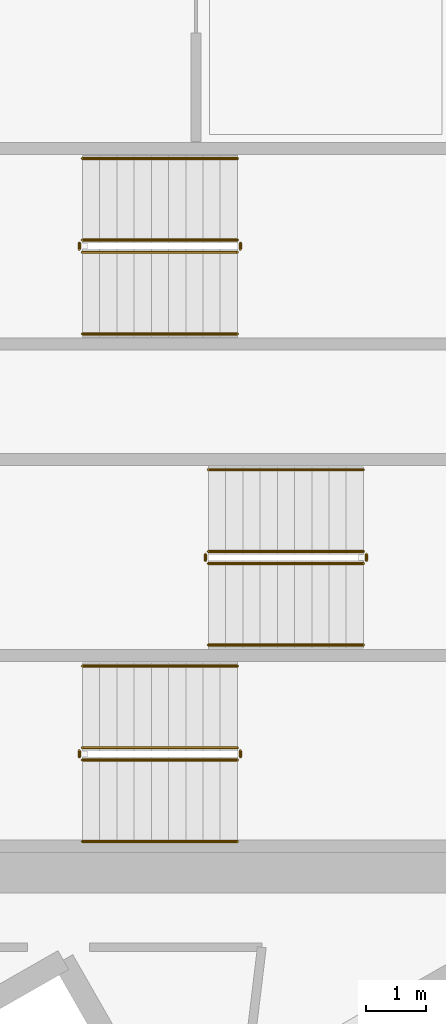
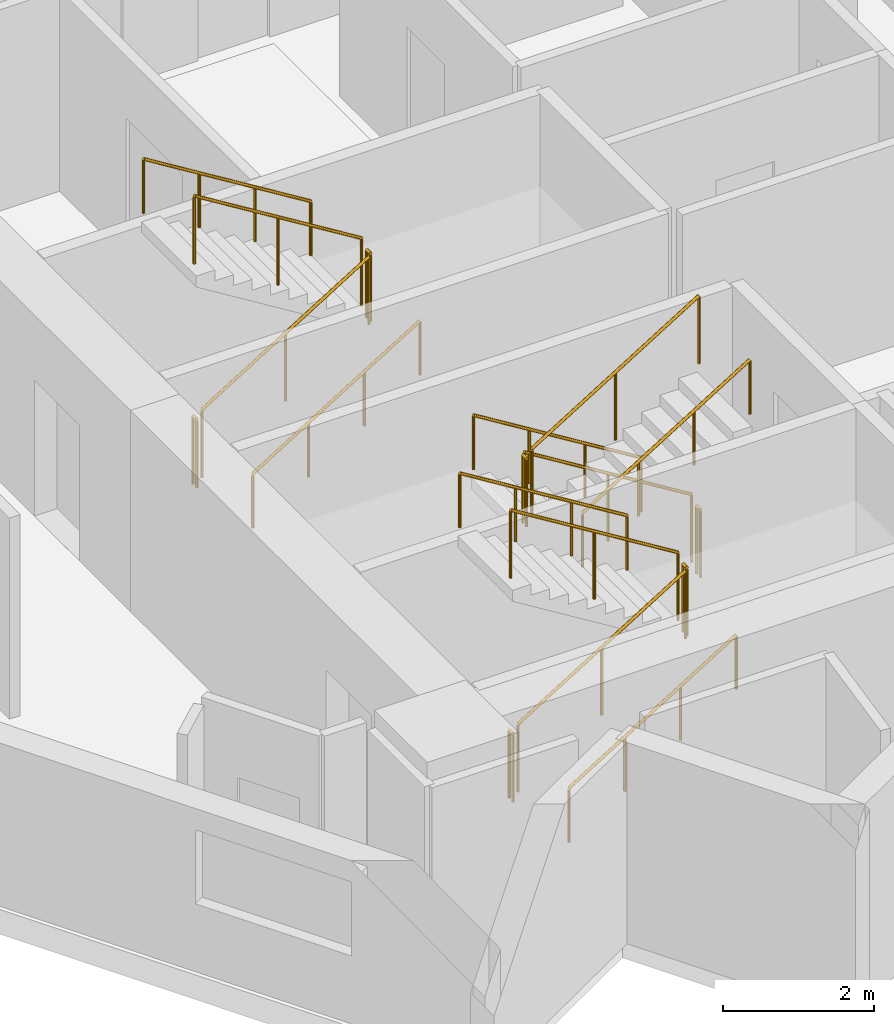
# One storey, part 12 of 13: 18 railings.
"""IFC4 building model written with IfcOpenShell, lengths in metres."""

from ifc_helpers import new_model, si_unit, direction, frame, origin, origin_2d, place, context, subcontext, project, spatial, circle, extrude, material, type_object, element, save


model = new_model("IFC4")

# Units and contexts
model_context = context("Model", 3, precision=1e-05, world=origin(), true_north=direction((0.0, 1.0)))
body_context = subcontext(model_context, "Body", "Model", "MODEL_VIEW")
ifc_project = project(units=[si_unit("LENGTHUNIT", "METRE"), si_unit("AREAUNIT", "SQUARE_METRE"), si_unit("VOLUMEUNIT", "CUBIC_METRE"), si_unit("PLANEANGLEUNIT", "RADIAN"), si_unit("MASSUNIT", "GRAM", prefix="KILO")], contexts=[model_context])

# Site, building, storey
site_placement = place(None, origin())
site = spatial("IfcSite", under=ifc_project, at=site_placement, CompositionType="ELEMENT")
building_placement = place(site_placement, origin())
building = spatial("IfcBuilding", under=site, at=building_placement, Name="Narakoshi Arena Tower", CompositionType="ELEMENT")
storey_placement = place(building_placement, frame((0.0, 0.0, 200.89990234375)))
storey = spatial("IfcBuildingStorey", under=building, at=storey_placement, Name="L54", CompositionType="ELEMENT", Elevation=200.89990234375)

# Railings
ifc_material_1 = material(Name="Clear low-iron laminated structural glass", Category="glass")
railing_type_1 = type_object("IfcRailingType", Name="RL-BAL-1100", PredefinedType="BALUSTRADE", material=ifc_material_1)
railing_1_placement = place(storey_placement, frame((74.39990234375, 36.949951171875, 0.176025390625)))
element("IfcRailing", 1, at=railing_1_placement, inside=storey, type_object=railing_type_1, Name="L54 ST1 stair guard 1", PredefinedType="BALUSTRADE", context=body_context, shape_type="SweptSolid", body=[
    extrude(circle(Radius=0.02392578125, at=origin_2d()), frame((0.0, 0.0, 1.09619140625), z_axis=(0.850856559306, 0.0, 0.525398054323), x_axis=(0.0, 1.0, 0.0)), (0.0, 0.0, 1.0), 3.014892578125),
    extrude(circle(Radius=0.02099609375, at=origin_2d()), origin(), (0.0, 0.0, 1.0), 1.072021484375),
    extrude(circle(Radius=0.02099609375, at=origin_2d()), frame((1.28271484375, 0.0, 0.7919921875)), (0.0, 0.0, 1.0), 1.072021484375),
    extrude(circle(Radius=0.02099609375, at=origin_2d()), frame((2.565185546875, 0.0, 1.583984375)), (0.0, 0.0, 1.0), 1.072021484375),
])
railing_2_placement = place(storey_placement, frame((77.014892578125, 37.0, 1.760009765625)))
element("IfcRailing", 2, at=railing_2_placement, inside=storey, type_object=railing_type_1, Name="L54 ST1 stair guard 2", PredefinedType="BALUSTRADE", context=body_context, shape_type="SweptSolid", body=[
    extrude(circle(Radius=0.02392578125, at=origin_2d()), frame((0.0, 0.0, 1.09619140625), z_axis=(0.0, 1.0, 0.0), x_axis=(-1.0, 0.0, 0.0)), (0.0, 0.0, 1.0), 0.10009765625),
    extrude(circle(Radius=0.02099609375, at=origin_2d()), origin(), (0.0, 0.0, 1.0), 1.072021484375),
    extrude(circle(Radius=0.02099609375, at=origin_2d()), frame((0.0, 0.10009765625, 0.0)), (0.0, 0.0, 1.0), 1.072021484375),
])
railing_3_placement = place(storey_placement, frame((76.965087890625, 37.14990234375, 1.93603515625)))
element("IfcRailing", 3, at=railing_3_placement, inside=storey, type_object=railing_type_1, Name="L54 ST1 stair guard 3", PredefinedType="BALUSTRADE", context=body_context, shape_type="SweptSolid", body=[
    extrude(circle(Radius=0.02392578125, at=origin_2d()), frame((0.0, 0.0, 1.09619140625), z_axis=(-0.850856559306, 0.0, 0.525398054323), x_axis=(0.0, -1.0, 0.0)), (0.0, 0.0, 1.0), 3.014892578125),
    extrude(circle(Radius=0.02099609375, at=origin_2d()), origin(), (0.0, 0.0, 1.0), 1.072021484375),
    extrude(circle(Radius=0.02099609375, at=origin_2d()), frame((-1.28271484375, 0.0, 0.7919921875)), (0.0, 0.0, 1.0), 1.072021484375),
    extrude(circle(Radius=0.02099609375, at=origin_2d()), frame((-2.565185546875, 0.0, 1.583984375)), (0.0, 0.0, 1.0), 1.072021484375),
])
railing_4_placement = place(storey_placement, frame((74.35009765625, 37.0, 0.0)))
element("IfcRailing", 4, at=railing_4_placement, inside=storey, type_object=railing_type_1, Name="L54 ST1 stair guard 4", PredefinedType="BALUSTRADE", context=body_context, shape_type="SweptSolid", body=[
    extrude(circle(Radius=0.02392578125, at=origin_2d()), frame((0.0, 0.0, 1.09619140625), z_axis=(0.0, 1.0, 0.0), x_axis=(-1.0, 0.0, 0.0)), (0.0, 0.0, 1.0), 0.10009765625),
    extrude(circle(Radius=0.02099609375, at=origin_2d()), origin(), (0.0, 0.0, 1.0), 1.072021484375),
    extrude(circle(Radius=0.02099609375, at=origin_2d()), frame((0.0, 0.10009765625, 0.0)), (0.0, 0.0, 1.0), 1.072021484375),
])
railing_5_placement = place(storey_placement, frame((79.050048828125, 40.39990234375, 0.176025390625)))
element("IfcRailing", 5, at=railing_5_placement, inside=storey, type_object=railing_type_1, Name="L54 ST2 stair guard 1", PredefinedType="BALUSTRADE", context=body_context, shape_type="SweptSolid", body=[
    extrude(circle(Radius=0.02392578125, at=origin_2d()), frame((0.0, 0.0, 1.09619140625), z_axis=(-0.850834203031, 0.0, 0.525434257497), x_axis=(0.0, -1.0, 0.0)), (0.0, 0.0, 1.0), 3.0146484375),
    extrude(circle(Radius=0.02099609375, at=origin_2d()), origin(), (0.0, 0.0, 1.0), 1.072021484375),
    extrude(circle(Radius=0.02099609375, at=origin_2d()), frame((-1.282470703125, 0.0, 0.7919921875)), (0.0, 0.0, 1.0), 1.072021484375),
    extrude(circle(Radius=0.02099609375, at=origin_2d()), frame((-2.56494140625, 0.0, 1.583984375)), (0.0, 0.0, 1.0), 1.072021484375),
])
railing_6_placement = place(storey_placement, frame((76.43505859375, 40.35009765625, 1.760009765625)))
element("IfcRailing", 6, at=railing_6_placement, inside=storey, type_object=railing_type_1, Name="L54 ST2 stair guard 2", PredefinedType="BALUSTRADE", context=body_context, shape_type="SweptSolid", body=[
    extrude(circle(Radius=0.02392578125, at=origin_2d()), frame((0.0, 0.0, 1.09619140625), z_axis=(0.0, -1.0, 0.0), x_axis=(1.0, 0.0, 0.0)), (0.0, 0.0, 1.0), 0.10009765625),
    extrude(circle(Radius=0.02099609375, at=origin_2d()), origin(), (0.0, 0.0, 1.0), 1.072021484375),
    extrude(circle(Radius=0.02099609375, at=origin_2d()), frame((0.0, -0.10009765625, 0.0)), (0.0, 0.0, 1.0), 1.072021484375),
])
railing_7_placement = place(storey_placement, frame((76.485107421875, 40.199951171875, 1.93603515625)))
element("IfcRailing", 7, at=railing_7_placement, inside=storey, type_object=railing_type_1, Name="L54 ST2 stair guard 3", PredefinedType="BALUSTRADE", context=body_context, shape_type="SweptSolid", body=[
    extrude(circle(Radius=0.02392578125, at=origin_2d()), frame((0.0, 0.0, 1.09619140625), z_axis=(0.850834203031, 0.0, 0.525434257497), x_axis=(0.0, 1.0, 0.0)), (0.0, 0.0, 1.0), 3.0146484375),
    extrude(circle(Radius=0.02099609375, at=origin_2d()), origin(), (0.0, 0.0, 1.0), 1.072021484375),
    extrude(circle(Radius=0.02099609375, at=origin_2d()), frame((1.282470703125, 0.0, 0.7919921875)), (0.0, 0.0, 1.0), 1.072021484375),
    extrude(circle(Radius=0.02099609375, at=origin_2d()), frame((2.56494140625, 0.0, 1.583984375)), (0.0, 0.0, 1.0), 1.072021484375),
])
railing_8_placement = place(storey_placement, frame((79.10009765625, 40.35009765625, 0.0)))
element("IfcRailing", 8, at=railing_8_placement, inside=storey, type_object=railing_type_1, Name="L54 ST2 stair guard 4", PredefinedType="BALUSTRADE", context=body_context, shape_type="SweptSolid", body=[
    extrude(circle(Radius=0.02392578125, at=origin_2d()), frame((0.0, 0.0, 1.09619140625), z_axis=(0.0, -1.0, 0.0), x_axis=(1.0, 0.0, 0.0)), (0.0, 0.0, 1.0), 0.10009765625),
    extrude(circle(Radius=0.02099609375, at=origin_2d()), origin(), (0.0, 0.0, 1.0), 1.072021484375),
    extrude(circle(Radius=0.02099609375, at=origin_2d()), frame((0.0, -0.10009765625, 0.0)), (0.0, 0.0, 1.0), 1.072021484375),
])
railing_9_placement = place(storey_placement, frame((74.39990234375, 45.35009765625, 0.176025390625)))
element("IfcRailing", 9, at=railing_9_placement, inside=storey, type_object=railing_type_1, Name="L54 ST3 stair guard 1", PredefinedType="BALUSTRADE", context=body_context, shape_type="SweptSolid", body=[
    extrude(circle(Radius=0.02392578125, at=origin_2d()), frame((0.0, 0.0, 1.09619140625), z_axis=(0.850856559306, 0.0, 0.525398054323), x_axis=(0.0, 1.0, 0.0)), (0.0, 0.0, 1.0), 3.014892578125),
    extrude(circle(Radius=0.02099609375, at=origin_2d()), origin(), (0.0, 0.0, 1.0), 1.072021484375),
    extrude(circle(Radius=0.02099609375, at=origin_2d()), frame((1.28271484375, 0.0, 0.7919921875)), (0.0, 0.0, 1.0), 1.072021484375),
    extrude(circle(Radius=0.02099609375, at=origin_2d()), frame((2.565185546875, 0.0, 1.583984375)), (0.0, 0.0, 1.0), 1.072021484375),
])
railing_10_placement = place(storey_placement, frame((77.014892578125, 45.39990234375, 1.760009765625)))
element("IfcRailing", 10, at=railing_10_placement, inside=storey, type_object=railing_type_1, Name="L54 ST3 stair guard 2", PredefinedType="BALUSTRADE", context=body_context, shape_type="SweptSolid", body=[
    extrude(circle(Radius=0.02392578125, at=origin_2d()), frame((0.0, 0.0, 1.09619140625), z_axis=(0.0, 1.0, 0.0), x_axis=(-1.0, 0.0, 0.0)), (0.0, 0.0, 1.0), 0.10009765625),
    extrude(circle(Radius=0.02099609375, at=origin_2d()), origin(), (0.0, 0.0, 1.0), 1.072021484375),
    extrude(circle(Radius=0.02099609375, at=origin_2d()), frame((0.0, 0.10009765625, 0.0)), (0.0, 0.0, 1.0), 1.072021484375),
])
railing_11_placement = place(storey_placement, frame((76.965087890625, 45.550048828125, 1.93603515625)))
element("IfcRailing", 11, at=railing_11_placement, inside=storey, type_object=railing_type_1, Name="L54 ST3 stair guard 3", PredefinedType="BALUSTRADE", context=body_context, shape_type="SweptSolid", body=[
    extrude(circle(Radius=0.02392578125, at=origin_2d()), frame((0.0, 0.0, 1.09619140625), z_axis=(-0.850856559306, 0.0, 0.525398054323), x_axis=(0.0, -1.0, 0.0)), (0.0, 0.0, 1.0), 3.014892578125),
    extrude(circle(Radius=0.02099609375, at=origin_2d()), origin(), (0.0, 0.0, 1.0), 1.072021484375),
    extrude(circle(Radius=0.02099609375, at=origin_2d()), frame((-1.28271484375, 0.0, 0.7919921875)), (0.0, 0.0, 1.0), 1.072021484375),
    extrude(circle(Radius=0.02099609375, at=origin_2d()), frame((-2.565185546875, 0.0, 1.583984375)), (0.0, 0.0, 1.0), 1.072021484375),
])
railing_12_placement = place(storey_placement, frame((74.35009765625, 45.39990234375, 0.0)))
element("IfcRailing", 12, at=railing_12_placement, inside=storey, type_object=railing_type_1, Name="L54 ST3 stair guard 4", PredefinedType="BALUSTRADE", context=body_context, shape_type="SweptSolid", body=[
    extrude(circle(Radius=0.02392578125, at=origin_2d()), frame((0.0, 0.0, 1.09619140625), z_axis=(0.0, 1.0, 0.0), x_axis=(-1.0, 0.0, 0.0)), (0.0, 0.0, 1.0), 0.10009765625),
    extrude(circle(Radius=0.02099609375, at=origin_2d()), origin(), (0.0, 0.0, 1.0), 1.072021484375),
    extrude(circle(Radius=0.02099609375, at=origin_2d()), frame((0.0, 0.10009765625, 0.0)), (0.0, 0.0, 1.0), 1.072021484375),
])
ifc_material_2 = material(Name="Brushed bronze stainless steel", Category="steel")
railing_type_2 = type_object("IfcRailingType", Name="RL-HND-900", PredefinedType="HANDRAIL", material=ifc_material_2)
railing_13_placement = place(storey_placement, frame((74.39990234375, 35.60009765625, 0.176025390625)))
element("IfcRailing", 13, at=railing_13_placement, inside=storey, type_object=railing_type_2, Name="L54 ST1 stair handrail 1", PredefinedType="HANDRAIL", context=body_context, shape_type="SweptSolid", body=[
    extrude(circle(Radius=0.02392578125, at=origin_2d()), frame((0.0, 0.0, 0.8759765625), z_axis=(0.850856559306, 0.0, 0.525398054323), x_axis=(0.0, 1.0, 0.0)), (0.0, 0.0, 1.0), 3.014892578125),
    extrude(circle(Radius=0.02099609375, at=origin_2d()), origin(), (0.0, 0.0, 1.0), 0.851806640625),
    extrude(circle(Radius=0.02099609375, at=origin_2d()), frame((0.85498046875, 0.0, 0.528076171875)), (0.0, 0.0, 1.0), 0.851806640625),
    extrude(circle(Radius=0.02099609375, at=origin_2d()), frame((1.710205078125, 0.0, 1.055908203125)), (0.0, 0.0, 1.0), 0.851806640625),
    extrude(circle(Radius=0.02099609375, at=origin_2d()), frame((2.565185546875, 0.0, 1.583984375)), (0.0, 0.0, 1.0), 0.851806640625),
])
railing_14_placement = place(storey_placement, frame((76.965087890625, 38.5, 1.93603515625)))
element("IfcRailing", 14, at=railing_14_placement, inside=storey, type_object=railing_type_2, Name="L54 ST1 stair handrail 2", PredefinedType="HANDRAIL", context=body_context, shape_type="SweptSolid", body=[
    extrude(circle(Radius=0.02392578125, at=origin_2d()), frame((0.0, 0.0, 0.8759765625), z_axis=(-0.850856559306, 0.0, 0.525398054323), x_axis=(0.0, -1.0, 0.0)), (0.0, 0.0, 1.0), 3.014892578125),
    extrude(circle(Radius=0.02099609375, at=origin_2d()), origin(), (0.0, 0.0, 1.0), 0.851806640625),
    extrude(circle(Radius=0.02099609375, at=origin_2d()), frame((-0.85498046875, 0.0, 0.528076171875)), (0.0, 0.0, 1.0), 0.851806640625),
    extrude(circle(Radius=0.02099609375, at=origin_2d()), frame((-1.710205078125, 0.0, 1.055908203125)), (0.0, 0.0, 1.0), 0.851806640625),
    extrude(circle(Radius=0.02099609375, at=origin_2d()), frame((-2.565185546875, 0.0, 1.583984375)), (0.0, 0.0, 1.0), 0.851806640625),
])
railing_15_placement = place(storey_placement, frame((79.050048828125, 41.75, 0.176025390625)))
element("IfcRailing", 15, at=railing_15_placement, inside=storey, type_object=railing_type_2, Name="L54 ST2 stair handrail 1", PredefinedType="HANDRAIL", context=body_context, shape_type="SweptSolid", body=[
    extrude(circle(Radius=0.02392578125, at=origin_2d()), frame((0.0, 0.0, 0.8759765625), z_axis=(-0.850834203031, 0.0, 0.525434257497), x_axis=(0.0, -1.0, 0.0)), (0.0, 0.0, 1.0), 3.0146484375),
    extrude(circle(Radius=0.02099609375, at=origin_2d()), origin(), (0.0, 0.0, 1.0), 0.851806640625),
    extrude(circle(Radius=0.02099609375, at=origin_2d()), frame((-0.85498046875, 0.0, 0.528076171875)), (0.0, 0.0, 1.0), 0.851806640625),
    extrude(circle(Radius=0.02099609375, at=origin_2d()), frame((-1.7099609375, 0.0, 1.055908203125)), (0.0, 0.0, 1.0), 0.851806640625),
    extrude(circle(Radius=0.02099609375, at=origin_2d()), frame((-2.56494140625, 0.0, 1.583984375)), (0.0, 0.0, 1.0), 0.851806640625),
])
railing_16_placement = place(storey_placement, frame((76.485107421875, 38.85009765625, 1.93603515625)))
element("IfcRailing", 16, at=railing_16_placement, inside=storey, type_object=railing_type_2, Name="L54 ST2 stair handrail 2", PredefinedType="HANDRAIL", context=body_context, shape_type="SweptSolid", body=[
    extrude(circle(Radius=0.02392578125, at=origin_2d()), frame((0.0, 0.0, 0.8759765625), z_axis=(0.850834203031, 0.0, 0.525434257497), x_axis=(0.0, 1.0, 0.0)), (0.0, 0.0, 1.0), 3.0146484375),
    extrude(circle(Radius=0.02099609375, at=origin_2d()), origin(), (0.0, 0.0, 1.0), 0.851806640625),
    extrude(circle(Radius=0.02099609375, at=origin_2d()), frame((0.85498046875, 0.0, 0.528076171875)), (0.0, 0.0, 1.0), 0.851806640625),
    extrude(circle(Radius=0.02099609375, at=origin_2d()), frame((1.7099609375, 0.0, 1.055908203125)), (0.0, 0.0, 1.0), 0.851806640625),
    extrude(circle(Radius=0.02099609375, at=origin_2d()), frame((2.56494140625, 0.0, 1.583984375)), (0.0, 0.0, 1.0), 0.851806640625),
])
railing_17_placement = place(storey_placement, frame((74.39990234375, 44.0, 0.176025390625)))
element("IfcRailing", 17, at=railing_17_placement, inside=storey, type_object=railing_type_2, Name="L54 ST3 stair handrail 1", PredefinedType="HANDRAIL", context=body_context, shape_type="SweptSolid", body=[
    extrude(circle(Radius=0.02392578125, at=origin_2d()), frame((0.0, 0.0, 0.8759765625), z_axis=(0.850856559306, 0.0, 0.525398054323), x_axis=(0.0, 1.0, 0.0)), (0.0, 0.0, 1.0), 3.014892578125),
    extrude(circle(Radius=0.02099609375, at=origin_2d()), origin(), (0.0, 0.0, 1.0), 0.851806640625),
    extrude(circle(Radius=0.02099609375, at=origin_2d()), frame((0.85498046875, 0.0, 0.528076171875)), (0.0, 0.0, 1.0), 0.851806640625),
    extrude(circle(Radius=0.02099609375, at=origin_2d()), frame((1.710205078125, 0.0, 1.055908203125)), (0.0, 0.0, 1.0), 0.851806640625),
    extrude(circle(Radius=0.02099609375, at=origin_2d()), frame((2.565185546875, 0.0, 1.583984375)), (0.0, 0.0, 1.0), 0.851806640625),
])
railing_18_placement = place(storey_placement, frame((76.965087890625, 46.89990234375, 1.93603515625)))
element("IfcRailing", 18, at=railing_18_placement, inside=storey, type_object=railing_type_2, Name="L54 ST3 stair handrail 2", PredefinedType="HANDRAIL", context=body_context, shape_type="SweptSolid", body=[
    extrude(circle(Radius=0.02392578125, at=origin_2d()), frame((0.0, 0.0, 0.8759765625), z_axis=(-0.850856559306, 0.0, 0.525398054323), x_axis=(0.0, -1.0, 0.0)), (0.0, 0.0, 1.0), 3.014892578125),
    extrude(circle(Radius=0.02099609375, at=origin_2d()), origin(), (0.0, 0.0, 1.0), 0.851806640625),
    extrude(circle(Radius=0.02099609375, at=origin_2d()), frame((-0.85498046875, 0.0, 0.528076171875)), (0.0, 0.0, 1.0), 0.851806640625),
    extrude(circle(Radius=0.02099609375, at=origin_2d()), frame((-1.710205078125, 0.0, 1.055908203125)), (0.0, 0.0, 1.0), 0.851806640625),
    extrude(circle(Radius=0.02099609375, at=origin_2d()), frame((-2.565185546875, 0.0, 1.583984375)), (0.0, 0.0, 1.0), 0.851806640625),
])

save(model, "model.ifc")
